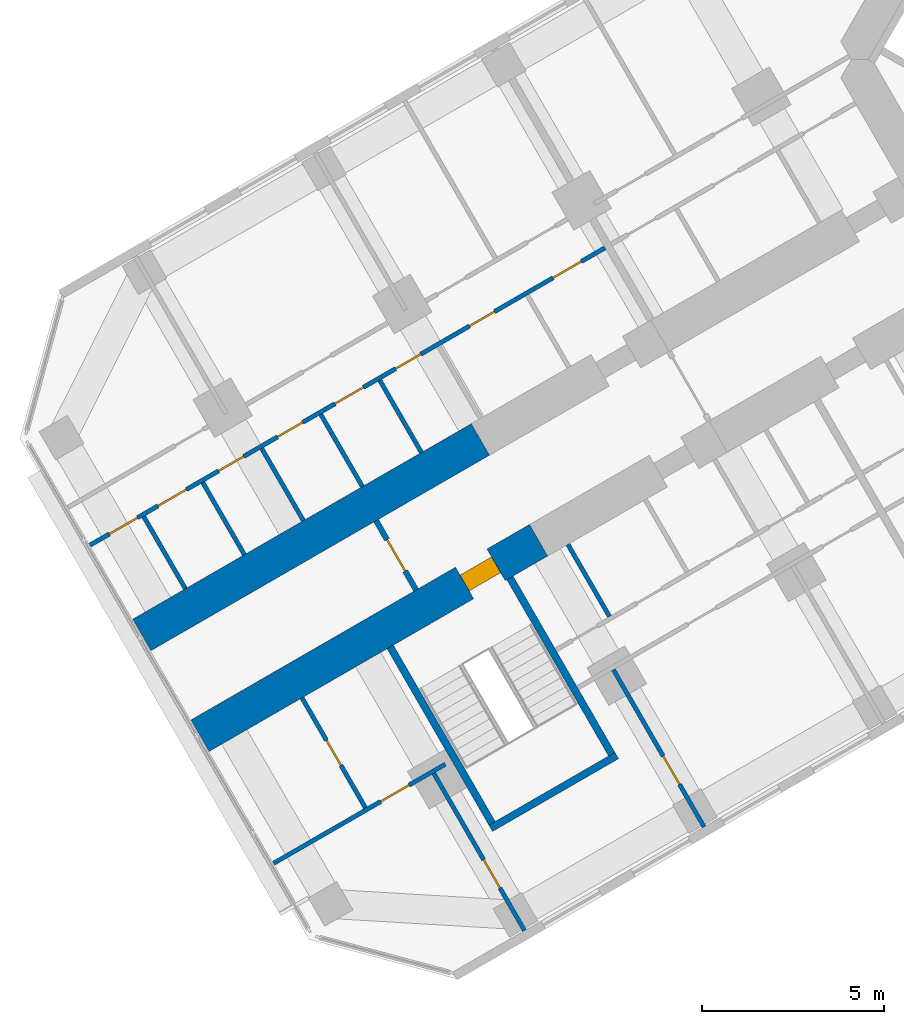
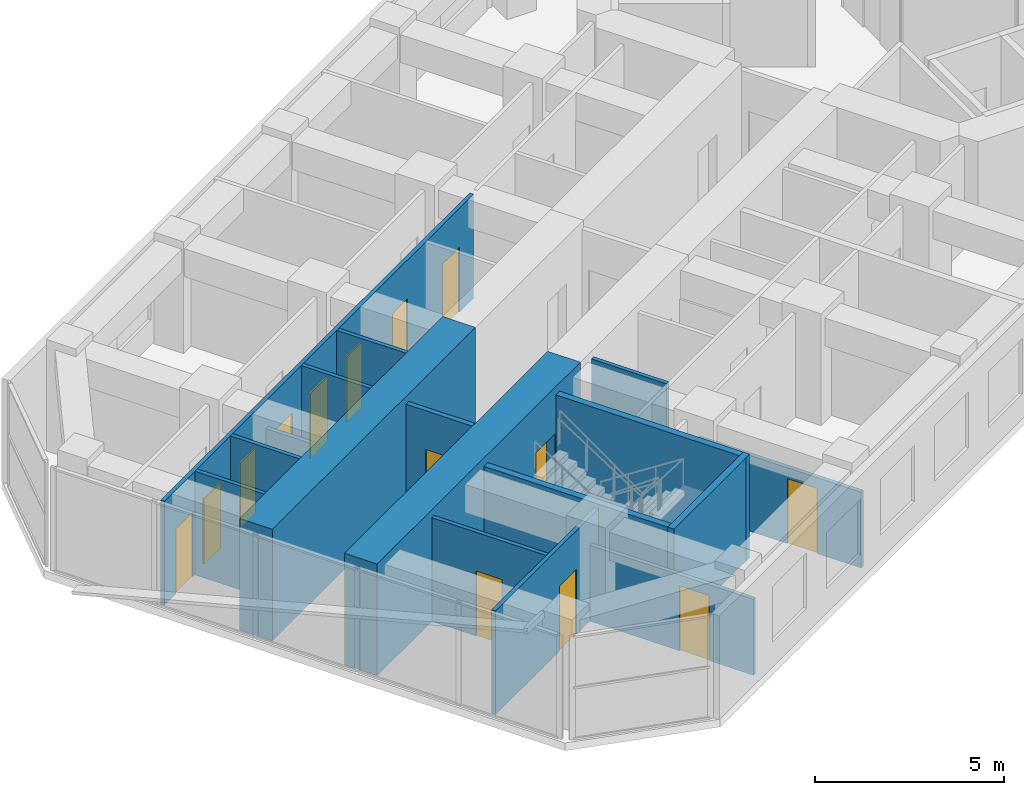
# One storey, part 10 of 21: 17 walls, 14 doors, 14 openings.
"""IFC4 building model written with IfcOpenShell, lengths in metres."""

from ifc_helpers import new_model, si_unit, direction, frame, frame_2d, origin, place, context, subcontext, project, spatial, rectangle, extrude, material, layer, layer_set, type_object, element, fill, save


model = new_model("IFC4")

# Units and contexts
model_context = context("Model", 3, precision=1e-05, world=origin(), true_north=direction((0.0, 1.0)))
body_context = subcontext(model_context, "Body", "Model", "MODEL_VIEW")
ifc_project = project(units=[si_unit("LENGTHUNIT", "METRE"), si_unit("AREAUNIT", "SQUARE_METRE"), si_unit("VOLUMEUNIT", "CUBIC_METRE"), si_unit("PLANEANGLEUNIT", "RADIAN"), si_unit("MASSUNIT", "GRAM", prefix="KILO")], contexts=[model_context])

# Site, building, storey
site_placement = place(None, origin())
site = spatial("IfcSite", under=ifc_project, at=site_placement, CompositionType="ELEMENT")
building_placement = place(site_placement, origin())
building = spatial("IfcBuilding", under=site, at=building_placement, Name="Kosmar Iwan School Tower", CompositionType="ELEMENT")
storey_placement = place(building_placement, frame((0.0, 0.0, 84.39990234375)))
storey = spatial("IfcBuildingStorey", under=building, at=storey_placement, Name="L20", CompositionType="ELEMENT", Elevation=84.39990234375)

# Wall, opening, door
ifc_material_1 = material(Name="Concrete C50/60", Category="concrete")
ifc_layer_1 = layer(ifc_material_1, 1.0)
ifc_layer_set_1 = layer_set([ifc_layer_1], Name="Corridor buttress wall 1000")
wall_type_1 = type_object("IfcWallType", Name="Corridor buttress wall 1000", PredefinedType="SHEAR", material=ifc_layer_set_1)
wall_1_placement = place(storey_placement, frame((-19.681396484375, -13.210693359375, 0.0), z_axis=(0.0, 0.0, 1.0), x_axis=(-0.866028186671, -0.499995179869, 0.0)))
wall_1 = element("IfcWall", 1, at=wall_1_placement, inside=storey, type_object=wall_type_1, Name="Corridor wall BL bay 3", PredefinedType="SHEAR", context=body_context, shape_type="SweptSolid", body=[
    extrude(rectangle(XDim=10.7451171875, YDim=1.0, at=frame_2d((5.37255859375, 0.0))), origin(), (0.0, 0.0, 1.0), 3.60009765625),
])
opening_1_placement = place(wall_1_placement, frame((1.35009765625, 0.0, 0.0)))
opening_1 = element("IfcOpeningElement", 2, at=opening_1_placement, cuts=wall_1, Name="Opening D6", PredefinedType="OPENING", context=body_context, shape_type="SweptSolid", body=[
    extrude(rectangle(XDim=1.0, YDim=2.10009765625, at=frame_2d((0.5, 1.050048828125))), frame((0.0, 0.511962890625, 0.0), z_axis=(0.0, -1.0, 0.0), x_axis=(1.0, 0.0, 0.0)), (0.0, 0.0, 1.0), 1.02392578125),
])
ifc_material_2 = material(Name="Steel fire door", Category="steel")
door_type_1 = type_object("IfcDoorType", Name="Stair door 1000x2100", OperationType="SINGLE_SWING_LEFT", PredefinedType="DOOR", material=ifc_material_2)
door_1_placement = place(opening_1_placement, origin())
door_1 = element("IfcDoor", 3, at=door_1_placement, inside=storey, type_object=door_type_1, Name="Stair WS2 door L20", OperationType="SINGLE_SWING_LEFT", OverallHeight=2.10009765625, OverallWidth=1.0, PredefinedType="DOOR", context=body_context, shape_type="SweptSolid", body=[
    extrude(rectangle(XDim=1.0, YDim=2.10009765625, at=frame_2d((0.5, 1.050048828125))), frame((0.0, 0.25, 0.0), z_axis=(0.0, -1.0, 0.0), x_axis=(1.0, 0.0, 0.0)), (0.0, 0.0, 1.0), 0.5),
])
fill(opening_1, door_1)

# Wall
wall_2_placement = place(storey_placement, frame((-21.281494140625, -10.439453125, 0.0), z_axis=(0.0, 0.0, 1.0), x_axis=(-0.866032345022, -0.499987977232, 0.0)))
element("IfcWall", 4, at=wall_2_placement, inside=storey, type_object=wall_type_1, Name="Corridor wall BR bay 3", PredefinedType="SHEAR", context=body_context, shape_type="SweptSolid", body=[
    extrude(rectangle(XDim=10.744873046875, YDim=1.0, at=frame_2d((5.37255859375, 0.0))), origin(), (0.0, 0.0, 1.0), 3.60009765625),
])

# Wall, opening, door
ifc_material_3 = material(Name="Gypsum board on steel studs, fire-rated", Category="steel")
ifc_layer_2 = layer(ifc_material_3, 0.14990234375)
ifc_layer_set_2 = layer_set([ifc_layer_2], Name="Corridor end wall 150")
wall_type_2 = type_object("IfcWallType", Name="Corridor end wall 150", PredefinedType="PARTITIONING", material=ifc_layer_set_2)
wall_3_placement = place(storey_placement, frame((-24.149169921875, -12.67236328125, 0.0), z_axis=(0.0, 0.0, 1.0), x_axis=(0.50002983664, -0.866008176907, 0.0)))
wall_3 = element("IfcWall", 5, at=wall_3_placement, inside=storey, type_object=wall_type_2, Name="Partition L20-B-CE", PredefinedType="PARTITIONING", context=body_context, shape_type="SweptSolid", body=[
    extrude(rectangle(XDim=2.199951171875, YDim=0.14990234375, at=frame_2d((1.10009765625, 0.0))), origin(), (0.0, 0.0, 1.0), 3.35009765625),
])
opening_2_placement = place(wall_3_placement, frame((0.60009765625, 0.0, 0.0)))
opening_2 = element("IfcOpeningElement", 6, at=opening_2_placement, cuts=wall_3, Name="Opening D13", PredefinedType="OPENING", context=body_context, shape_type="SweptSolid", body=[
    extrude(rectangle(XDim=1.0, YDim=2.10009765625, at=frame_2d((0.5, 1.050048828125))), frame((0.0, 0.0869140625, 0.0), z_axis=(0.0, -1.0, 0.0), x_axis=(1.0, 0.0, 0.0)), (0.0, 0.0, 1.0), 0.173828125),
])
ifc_material_4 = material(Name="Timber fire door with vision panel", Category="wood")
door_type_2 = type_object("IfcDoorType", Name="Corridor end door 1000x2100", OperationType="SINGLE_SWING_LEFT", PredefinedType="DOOR", material=ifc_material_4)
door_2_placement = place(opening_2_placement, origin())
door_2 = element("IfcDoor", 7, at=door_2_placement, inside=storey, type_object=door_type_2, Name="Reading room door L20-B", OperationType="SINGLE_SWING_RIGHT", OverallHeight=2.10009765625, OverallWidth=1.0, PredefinedType="DOOR", context=body_context, shape_type="SweptSolid", body=[
    extrude(rectangle(XDim=1.0, YDim=2.10009765625, at=frame_2d((0.5, 1.050048828125))), frame((0.0, 0.02490234375, 0.0), z_axis=(0.0, -1.0, 0.0), x_axis=(1.0, 0.0, 0.0)), (0.0, 0.0, 1.0), 0.050048828125),
])
fill(opening_2, door_2)

# Wall
ifc_material_5 = material(Name="Gypsum board on steel studs", Category="steel")
ifc_layer_3 = layer(ifc_material_5, 0.1201171875)
ifc_layer_set_3 = layer_set([ifc_layer_3], Name="Dwelling partition 120")
wall_type_3 = type_object("IfcWallType", Name="Dwelling partition 120", PredefinedType="PARTITIONING", material=ifc_layer_set_3)
wall_4_placement = place(storey_placement, frame((-18.877197265625, -13.32373046875, 0.0), z_axis=(0.0, 0.0, 1.0), x_axis=(0.500014693593, -0.866016920268, 0.0)))
element("IfcWall", 8, at=wall_4_placement, inside=storey, type_object=wall_type_3, Name="Partition L20-BL2-Y4", PredefinedType="PARTITIONING", context=body_context, shape_type="SweptSolid", body=[
    extrude(rectangle(XDim=2.2900390625, YDim=0.1201171875, at=frame_2d((1.14501953125, 0.0))), origin(), (0.0, 0.0, 1.0), 3.35009765625),
])

# Wall, opening, door
wall_5_placement = place(storey_placement, frame((-17.62646484375, -16.77001953125, 0.0), z_axis=(0.0, 0.0, 1.0), x_axis=(0.499975153383, -0.86603974851, 0.0)))
wall_5 = element("IfcWall", 9, at=wall_5_placement, inside=storey, type_object=wall_type_3, Name="Partition L20-BL2-TB", PredefinedType="PARTITIONING", context=body_context, shape_type="SweptSolid", body=[
    extrude(rectangle(XDim=4.989990234375, YDim=0.1201171875, at=frame_2d((2.4951171875, 0.0))), origin(), (0.0, 0.0, 1.0), 2.4501953125),
])
opening_3_placement = place(wall_5_placement, frame((2.739990234375, 0.0, 0.0)))
opening_3 = element("IfcOpeningElement", 10, at=opening_3_placement, cuts=wall_5, Name="Opening D2", PredefinedType="OPENING", context=body_context, shape_type="SweptSolid", body=[
    extrude(rectangle(XDim=0.89990234375, YDim=2.10009765625, at=frame_2d((0.449951171875, 1.050048828125))), frame((0.0, 0.072021484375, 0.0), z_axis=(0.0, -1.0, 0.0), x_axis=(1.0, 0.0, 0.0)), (0.0, 0.0, 1.0), 0.14404296875),
])
ifc_material_6 = material(Name="Timber door in timber frame", Category="wood")
door_type_3 = type_object("IfcDoorType", Name="Internal door 900x2100", OperationType="SINGLE_SWING_LEFT", PredefinedType="DOOR", material=ifc_material_6)
door_3_placement = place(opening_3_placement, origin())
door_3 = element("IfcDoor", 11, at=door_3_placement, inside=storey, type_object=door_type_3, Name="Study door L20-BL2-F2", OperationType="SINGLE_SWING_RIGHT", OverallHeight=2.10009765625, OverallWidth=0.89990234375, PredefinedType="DOOR", context=body_context, shape_type="SweptSolid", body=[
    extrude(rectangle(XDim=0.89990234375, YDim=2.10009765625, at=frame_2d((0.449951171875, 1.050048828125))), frame((0.0, 0.02490234375, 0.0), z_axis=(0.0, -1.0, 0.0), x_axis=(1.0, 0.0, 0.0)), (0.0, 0.0, 1.0), 0.050048828125),
])
fill(opening_3, door_3)

wall_6_placement = place(storey_placement, frame((-22.562744140625, -19.6201171875, 0.0), z_axis=(0.0, 0.0, 1.0), x_axis=(0.499996339024, -0.86602751744, 0.0)))
wall_6 = element("IfcWall", 12, at=wall_6_placement, inside=storey, type_object=wall_type_3, Name="Partition L20-BL2-TX", PredefinedType="PARTITIONING", context=body_context, shape_type="SweptSolid", body=[
    extrude(rectangle(XDim=4.98974609375, YDim=0.1201171875, at=frame_2d((2.494873046875, 0.0))), origin(), (0.0, 0.0, 1.0), 2.4501953125),
])
opening_4_placement = place(wall_6_placement, frame((2.739990234375, 0.0, 0.0)))
opening_4 = element("IfcOpeningElement", 13, at=opening_4_placement, cuts=wall_6, Name="Opening D2", PredefinedType="OPENING", context=body_context, shape_type="SweptSolid", body=[
    extrude(rectangle(XDim=0.89990234375, YDim=2.10009765625, at=frame_2d((0.449951171875, 1.050048828125))), frame((0.0, 0.072021484375, 0.0), z_axis=(0.0, -1.0, 0.0), x_axis=(1.0, 0.0, 0.0)), (0.0, 0.0, 1.0), 0.14404296875),
])
door_4_placement = place(opening_4_placement, origin())
door_4 = element("IfcDoor", 14, at=door_4_placement, inside=storey, type_object=door_type_3, Name="Study door L20-BL2-T1", OperationType="SINGLE_SWING_RIGHT", OverallHeight=2.10009765625, OverallWidth=0.89990234375, PredefinedType="DOOR", context=body_context, shape_type="SweptSolid", body=[
    extrude(rectangle(XDim=0.89990234375, YDim=2.10009765625, at=frame_2d((0.449951171875, 1.050048828125))), frame((0.0, 0.02490234375, 0.0), z_axis=(0.0, -1.0, 0.0), x_axis=(1.0, 0.0, 0.0)), (0.0, 0.0, 1.0), 0.050048828125),
])
fill(opening_4, door_4)

wall_7_placement = place(storey_placement, frame((-22.246337890625, -19.3681640625, 0.0), z_axis=(0.0, 0.0, 1.0), x_axis=(-0.866035508231, -0.499982498177, 0.0)))
wall_7 = element("IfcWall", 15, at=wall_7_placement, inside=storey, type_object=wall_type_3, Name="Partition L20-BL2-TW", PredefinedType="PARTITIONING", context=body_context, shape_type="SweptSolid", body=[
    extrude(rectangle(XDim=5.445068359375, YDim=0.1201171875, at=frame_2d((2.72265625, 0.0))), origin(), (0.0, 0.0, 1.0), 3.35009765625),
])
opening_5_placement = place(wall_7_placement, frame((1.14990234375, 0.0, 0.0)))
opening_5 = element("IfcOpeningElement", 16, at=opening_5_placement, cuts=wall_7, Name="Opening D2", PredefinedType="OPENING", context=body_context, shape_type="SweptSolid", body=[
    extrude(rectangle(XDim=0.89990234375, YDim=2.10009765625, at=frame_2d((0.449951171875, 1.050048828125))), frame((0.0, 0.072021484375, 0.0), z_axis=(0.0, -1.0, 0.0), x_axis=(1.0, 0.0, 0.0)), (0.0, 0.0, 1.0), 0.14404296875),
])
door_5_placement = place(opening_5_placement, origin())
door_5 = element("IfcDoor", 17, at=door_5_placement, inside=storey, type_object=door_type_3, Name="Dressing room door L20-BL2-T3", OperationType="SINGLE_SWING_LEFT", OverallHeight=2.10009765625, OverallWidth=0.89990234375, PredefinedType="DOOR", context=body_context, shape_type="SweptSolid", body=[
    extrude(rectangle(XDim=0.89990234375, YDim=2.10009765625, at=frame_2d((0.449951171875, 1.050048828125))), frame((0.0, 0.02490234375, 0.0), z_axis=(0.0, -1.0, 0.0), x_axis=(1.0, 0.0, 0.0)), (0.0, 0.0, 1.0), 0.050048828125),
])
fill(opening_5, door_5)

wall_8_placement = place(storey_placement, frame((-26.1865234375, -17.543701171875, 0.0), z_axis=(0.0, 0.0, 1.0), x_axis=(0.50002117804, -0.866013176292, 0.0)))
wall_8 = element("IfcWall", 18, at=wall_8_placement, inside=storey, type_object=wall_type_3, Name="Partition L20-BL2-TY", PredefinedType="PARTITIONING", context=body_context, shape_type="SweptSolid", body=[
    extrude(rectangle(XDim=3.489990234375, YDim=0.1201171875, at=frame_2d((1.7451171875, 0.0))), origin(), (0.0, 0.0, 1.0), 3.35009765625),
])
opening_6_placement = place(wall_8_placement, frame((1.344970703125, 0.0, 0.0)))
opening_6 = element("IfcOpeningElement", 19, at=opening_6_placement, cuts=wall_8, Name="Opening D3", PredefinedType="OPENING", context=body_context, shape_type="SweptSolid", body=[
    extrude(rectangle(XDim=0.800048828125, YDim=2.10009765625, at=frame_2d((0.39990234375, 1.050048828125))), frame((0.0, 0.072021484375, 0.0), z_axis=(0.0, -1.0, 0.0), x_axis=(1.0, 0.0, 0.0)), (0.0, 0.0, 1.0), 0.14404296875),
])
ifc_material_7 = material(Name="Timber door in timber frame", Category="wood")
door_type_4 = type_object("IfcDoorType", Name="Sanitary room door 800x2100", OperationType="SINGLE_SWING_LEFT", PredefinedType="DOOR", material=ifc_material_7)
door_6_placement = place(opening_6_placement, origin())
door_6 = element("IfcDoor", 20, at=door_6_placement, inside=storey, type_object=door_type_4, Name="Shower room door L20-BL2-T4", OperationType="SINGLE_SWING_RIGHT", OverallHeight=2.10009765625, OverallWidth=0.800048828125, PredefinedType="DOOR", context=body_context, shape_type="SweptSolid", body=[
    extrude(rectangle(XDim=0.800048828125, YDim=2.10009765625, at=frame_2d((0.39990234375, 1.050048828125))), frame((0.0, 0.02490234375, 0.0), z_axis=(0.0, -1.0, 0.0), x_axis=(1.0, 0.0, 0.0)), (0.0, 0.0, 1.0), 0.050048828125),
])
fill(opening_6, door_6)

# Wall, openings, doors
wall_9_placement = place(storey_placement, frame((-17.856689453125, -5.171142578125, 0.0), z_axis=(0.0, 0.0, 1.0), x_axis=(-0.866023907196, -0.500002592159, 0.0)))
wall_9 = element("IfcWall", 21, at=wall_9_placement, inside=storey, type_object=wall_type_3, Name="Partition L20-BR2-W1", PredefinedType="PARTITIONING", context=body_context, shape_type="SweptSolid", body=[
    extrude(rectangle(XDim=16.34521484375, YDim=0.1201171875, at=frame_2d((8.172607421875, 0.0))), origin(), (0.0, 0.0, 1.0), 3.35009765625),
])
opening_7_placement = place(wall_9_placement, frame((0.75, 0.0, 0.0)))
opening_7 = element("IfcOpeningElement", 22, at=opening_7_placement, cuts=wall_9, Name="Opening D2", PredefinedType="OPENING", context=body_context, shape_type="SweptSolid", body=[
    extrude(rectangle(XDim=0.89990234375, YDim=2.10009765625, at=frame_2d((0.449951171875, 1.050048828125))), frame((0.0, 0.072021484375, 0.0), z_axis=(0.0, -1.0, 0.0), x_axis=(1.0, 0.0, 0.0)), (0.0, 0.0, 1.0), 0.14404296875),
])
opening_8_placement = place(wall_9_placement, frame((3.505126953125, 0.0, 0.0)))
opening_8 = element("IfcOpeningElement", 23, at=opening_8_placement, cuts=wall_9, Name="Opening D3", PredefinedType="OPENING", context=body_context, shape_type="SweptSolid", body=[
    extrude(rectangle(XDim=0.800048828125, YDim=2.10009765625, at=frame_2d((0.39990234375, 1.050048828125))), frame((0.0, 0.072021484375, 0.0), z_axis=(0.0, -1.0, 0.0), x_axis=(1.0, 0.0, 0.0)), (0.0, 0.0, 1.0), 0.14404296875),
])
opening_9_placement = place(wall_9_placement, frame((5.8466796875, 0.0, 0.0)))
opening_9 = element("IfcOpeningElement", 24, at=opening_9_placement, cuts=wall_9, Name="Opening D3", PredefinedType="OPENING", context=body_context, shape_type="SweptSolid", body=[
    extrude(rectangle(XDim=0.800048828125, YDim=2.10009765625, at=frame_2d((0.39990234375, 1.050048828125))), frame((0.0, 0.072021484375, 0.0), z_axis=(0.0, -1.0, 0.0), x_axis=(1.0, 0.0, 0.0)), (0.0, 0.0, 1.0), 0.14404296875),
])
opening_10_placement = place(wall_9_placement, frame((7.669921875, 0.0, 0.0)))
opening_10 = element("IfcOpeningElement", 25, at=opening_10_placement, cuts=wall_9, Name="Opening D2", PredefinedType="OPENING", context=body_context, shape_type="SweptSolid", body=[
    extrude(rectangle(XDim=0.89990234375, YDim=2.10009765625, at=frame_2d((0.449951171875, 1.050048828125))), frame((0.0, 0.072021484375, 0.0), z_axis=(0.0, -1.0, 0.0), x_axis=(1.0, 0.0, 0.0)), (0.0, 0.0, 1.0), 0.14404296875),
])
opening_11_placement = place(wall_9_placement, frame((9.59326171875, 0.0, 0.0)))
opening_11 = element("IfcOpeningElement", 26, at=opening_11_placement, cuts=wall_9, Name="Opening D3", PredefinedType="OPENING", context=body_context, shape_type="SweptSolid", body=[
    extrude(rectangle(XDim=0.800048828125, YDim=2.10009765625, at=frame_2d((0.39990234375, 1.050048828125))), frame((0.0, 0.072021484375, 0.0), z_axis=(0.0, -1.0, 0.0), x_axis=(1.0, 0.0, 0.0)), (0.0, 0.0, 1.0), 0.14404296875),
])
opening_12_placement = place(wall_9_placement, frame((11.466796875, 0.0, 0.0)))
opening_12 = element("IfcOpeningElement", 27, at=opening_12_placement, cuts=wall_9, Name="Opening D3", PredefinedType="OPENING", context=body_context, shape_type="SweptSolid", body=[
    extrude(rectangle(XDim=0.800048828125, YDim=2.10009765625, at=frame_2d((0.39990234375, 1.050048828125))), frame((0.0, 0.072021484375, 0.0), z_axis=(0.0, -1.0, 0.0), x_axis=(1.0, 0.0, 0.0)), (0.0, 0.0, 1.0), 0.14404296875),
])
opening_13_placement = place(wall_9_placement, frame((13.2900390625, 0.0, 0.0)))
opening_13 = element("IfcOpeningElement", 28, at=opening_13_placement, cuts=wall_9, Name="Opening D2", PredefinedType="OPENING", context=body_context, shape_type="SweptSolid", body=[
    extrude(rectangle(XDim=0.89990234375, YDim=2.10009765625, at=frame_2d((0.449951171875, 1.050048828125))), frame((0.0, 0.072021484375, 0.0), z_axis=(0.0, -1.0, 0.0), x_axis=(1.0, 0.0, 0.0)), (0.0, 0.0, 1.0), 0.14404296875),
])
opening_14_placement = place(wall_9_placement, frame((14.836669921875, 0.0, 0.0)))
opening_14 = element("IfcOpeningElement", 29, at=opening_14_placement, cuts=wall_9, Name="Opening D2", PredefinedType="OPENING", context=body_context, shape_type="SweptSolid", body=[
    extrude(rectangle(XDim=0.89990234375, YDim=2.10009765625, at=frame_2d((0.449951171875, 1.050048828125))), frame((0.0, 0.072021484375, 0.0), z_axis=(0.0, -1.0, 0.0), x_axis=(1.0, 0.0, 0.0)), (0.0, 0.0, 1.0), 0.14404296875),
])
door_7_placement = place(opening_7_placement, origin())
door_7 = element("IfcDoor", 30, at=door_7_placement, inside=storey, type_object=door_type_3, Name="Entrance hall door L20-BR2-S1", OperationType="SINGLE_SWING_LEFT", OverallHeight=2.10009765625, OverallWidth=0.89990234375, PredefinedType="DOOR", context=body_context, shape_type="SweptSolid", body=[
    extrude(rectangle(XDim=0.89990234375, YDim=2.10009765625, at=frame_2d((0.449951171875, 1.050048828125))), frame((0.0, 0.02490234375, 0.0), z_axis=(0.0, -1.0, 0.0), x_axis=(1.0, 0.0, 0.0)), (0.0, 0.0, 1.0), 0.050048828125),
])
fill(opening_7, door_7)
door_8_placement = place(opening_10_placement, origin())
door_8 = element("IfcDoor", 31, at=door_8_placement, inside=storey, type_object=door_type_3, Name="Pantry door L20-BR2-S4", OperationType="SINGLE_SWING_RIGHT", OverallHeight=2.10009765625, OverallWidth=0.89990234375, PredefinedType="DOOR", context=body_context, shape_type="SweptSolid", body=[
    extrude(rectangle(XDim=0.89990234375, YDim=2.10009765625, at=frame_2d((0.449951171875, 1.050048828125))), frame((0.0, 0.02490234375, 0.0), z_axis=(0.0, -1.0, 0.0), x_axis=(1.0, 0.0, 0.0)), (0.0, 0.0, 1.0), 0.050048828125),
])
fill(opening_10, door_8)
door_9_placement = place(opening_13_placement, origin())
door_9 = element("IfcDoor", 32, at=door_9_placement, inside=storey, type_object=door_type_3, Name="Utility room door L20-BR2-S7", OperationType="SINGLE_SWING_LEFT", OverallHeight=2.10009765625, OverallWidth=0.89990234375, PredefinedType="DOOR", context=body_context, shape_type="SweptSolid", body=[
    extrude(rectangle(XDim=0.89990234375, YDim=2.10009765625, at=frame_2d((0.449951171875, 1.050048828125))), frame((0.0, 0.02490234375, 0.0), z_axis=(0.0, -1.0, 0.0), x_axis=(1.0, 0.0, 0.0)), (0.0, 0.0, 1.0), 0.050048828125),
])
fill(opening_13, door_9)
door_10_placement = place(opening_14_placement, origin())
door_10 = element("IfcDoor", 33, at=door_10_placement, inside=storey, type_object=door_type_3, Name="Dressing room door L20-BR2-S8", OperationType="SINGLE_SWING_LEFT", OverallHeight=2.10009765625, OverallWidth=0.89990234375, PredefinedType="DOOR", context=body_context, shape_type="SweptSolid", body=[
    extrude(rectangle(XDim=0.89990234375, YDim=2.10009765625, at=frame_2d((0.449951171875, 1.050048828125))), frame((0.0, 0.02490234375, 0.0), z_axis=(0.0, -1.0, 0.0), x_axis=(1.0, 0.0, 0.0)), (0.0, 0.0, 1.0), 0.050048828125),
])
fill(opening_14, door_10)
door_11_placement = place(opening_8_placement, origin())
door_11 = element("IfcDoor", 34, at=door_11_placement, inside=storey, type_object=door_type_4, Name="Bathroom door L20-BR2-S2", OperationType="SINGLE_SWING_RIGHT", OverallHeight=2.10009765625, OverallWidth=0.800048828125, PredefinedType="DOOR", context=body_context, shape_type="SweptSolid", body=[
    extrude(rectangle(XDim=0.800048828125, YDim=2.10009765625, at=frame_2d((0.39990234375, 1.050048828125))), frame((0.0, 0.02490234375, 0.0), z_axis=(0.0, -1.0, 0.0), x_axis=(1.0, 0.0, 0.0)), (0.0, 0.0, 1.0), 0.050048828125),
])
fill(opening_8, door_11)
door_12_placement = place(opening_9_placement, origin())
door_12 = element("IfcDoor", 35, at=door_12_placement, inside=storey, type_object=door_type_4, Name="Shower room door L20-BR2-S3", OperationType="SINGLE_SWING_LEFT", OverallHeight=2.10009765625, OverallWidth=0.800048828125, PredefinedType="DOOR", context=body_context, shape_type="SweptSolid", body=[
    extrude(rectangle(XDim=0.800048828125, YDim=2.10009765625, at=frame_2d((0.39990234375, 1.050048828125))), frame((0.0, 0.02490234375, 0.0), z_axis=(0.0, -1.0, 0.0), x_axis=(1.0, 0.0, 0.0)), (0.0, 0.0, 1.0), 0.050048828125),
])
fill(opening_9, door_12)
door_13_placement = place(opening_11_placement, origin())
door_13 = element("IfcDoor", 36, at=door_13_placement, inside=storey, type_object=door_type_4, Name="WC door L20-BR2-S5", OperationType="SINGLE_SWING_LEFT", OverallHeight=2.10009765625, OverallWidth=0.800048828125, PredefinedType="DOOR", context=body_context, shape_type="SweptSolid", body=[
    extrude(rectangle(XDim=0.800048828125, YDim=2.10009765625, at=frame_2d((0.39990234375, 1.050048828125))), frame((0.0, 0.02490234375, 0.0), z_axis=(0.0, -1.0, 0.0), x_axis=(1.0, 0.0, 0.0)), (0.0, 0.0, 1.0), 0.050048828125),
])
fill(opening_11, door_13)
door_14_placement = place(opening_12_placement, origin())
door_14 = element("IfcDoor", 37, at=door_14_placement, inside=storey, type_object=door_type_4, Name="Store door L20-BR2-S6", OperationType="SINGLE_SWING_RIGHT", OverallHeight=2.10009765625, OverallWidth=0.800048828125, PredefinedType="DOOR", context=body_context, shape_type="SweptSolid", body=[
    extrude(rectangle(XDim=0.800048828125, YDim=2.10009765625, at=frame_2d((0.39990234375, 1.050048828125))), frame((0.0, 0.02490234375, 0.0), z_axis=(0.0, -1.0, 0.0), x_axis=(1.0, 0.0, 0.0)), (0.0, 0.0, 1.0), 0.050048828125),
])
fill(opening_12, door_14)

# Walls
wall_10_placement = place(storey_placement, frame((-22.902587890625, -10.798095703125, 0.0), z_axis=(0.0, 0.0, 1.0), x_axis=(-0.499968531483, 0.866043571379, 0.0)))
element("IfcWall", 38, at=wall_10_placement, inside=storey, type_object=wall_type_3, Name="Partition L20-BR2-Y3", PredefinedType="PARTITIONING", context=body_context, shape_type="SweptSolid", body=[
    extrude(rectangle(XDim=2.290283203125, YDim=0.1201171875, at=frame_2d((1.14501953125, 0.0))), origin(), (0.0, 0.0, 1.0), 3.35009765625),
])
wall_11_placement = place(storey_placement, frame((-24.525146484375, -11.734619140625, 0.0), z_axis=(0.0, 0.0, 1.0), x_axis=(-0.500014693593, 0.866016920268, 0.0)))
element("IfcWall", 39, at=wall_11_placement, inside=storey, type_object=wall_type_3, Name="Partition L20-BR2-Y4", PredefinedType="PARTITIONING", context=body_context, shape_type="SweptSolid", body=[
    extrude(rectangle(XDim=2.2900390625, YDim=0.1201171875, at=frame_2d((1.14501953125, 0.0))), origin(), (0.0, 0.0, 1.0), 3.35009765625),
])
wall_12_placement = place(storey_placement, frame((-26.1474609375, -12.67138671875, 0.0), z_axis=(0.0, 0.0, 1.0), x_axis=(-0.500014693593, 0.866016920268, 0.0)))
element("IfcWall", 40, at=wall_12_placement, inside=storey, type_object=wall_type_3, Name="Partition L20-BR2-Y5", PredefinedType="PARTITIONING", context=body_context, shape_type="SweptSolid", body=[
    extrude(rectangle(XDim=2.2900390625, YDim=0.1201171875, at=frame_2d((1.14501953125, 0.0))), origin(), (0.0, 0.0, 1.0), 2.4501953125),
])
for number, where, z_axis, x_axis, name in (
    (41, (-27.769775390625, -13.60791015625, 0.0), (0.0, 0.0, 1.0), (-0.500014693593, 0.866016920268, 0.0), "Partition L20-BR2-Y6"),
    (42, (-29.39208984375, -14.544677734375, 0.0), (0.0, 0.0, 1.0), (-0.500014693593, 0.866016920268, 0.0), "Partition L20-BR2-Y7"),
):
    element("IfcWall", number, at=place(storey_placement, frame(where, z_axis=z_axis, x_axis=x_axis)), inside=storey, type_object=wall_type_3, Name=name, PredefinedType="PARTITIONING", context=body_context, shape_type="SweptSolid", body=[
        extrude(rectangle(XDim=2.2900390625, YDim=0.1201171875, at=frame_2d((1.14501953125, 0.0))), origin(), (0.0, 0.0, 1.0), 3.35009765625),
    ])
ifc_material_8 = material(Name="Concrete C35/45", Category="concrete")
ifc_layer_4 = layer(ifc_material_8, 0.199951171875)
ifc_layer_set_4 = layer_set([ifc_layer_4], Name="Escape stair wall 200")
wall_type_4 = type_object("IfcWallType", Name="Escape stair wall 200", PredefinedType="SHEAR", material=ifc_layer_set_4)
for number, where, z_axis, x_axis, name in (
    (43, (-20.470703125, -14.24365234375, 0.0), (0.0, 0.0, 1.0), (0.499987231761, -0.866032775405, 0.0), "Stair WS2 wall"),
    (44, (-23.76171875, -16.1435546875, 0.0), (0.0, 0.0, 1.0), (0.500018801468, -0.86601454848, 0.0), "Stair WS2 wall"),
):
    element("IfcWall", number, at=place(storey_placement, frame(where, z_axis=z_axis, x_axis=x_axis)), inside=storey, type_object=wall_type_4, Name=name, PredefinedType="SHEAR", context=body_context, shape_type="SweptSolid", body=[
        extrude(rectangle(XDim=5.800048828125, YDim=0.199951171875, at=frame_2d((2.89990234375, 0.0))), origin(), (0.0, 0.0, 1.0), 3.330078125),
    ])
wall_13_placement = place(storey_placement, frame((-17.5341796875, -19.1298828125, 0.0), z_axis=(0.0, 0.0, 1.0), x_axis=(-0.866026010844, -0.49999894854, 0.0)))
element("IfcWall", 45, at=wall_13_placement, inside=storey, type_object=wall_type_4, Name="Stair WS2 wall", PredefinedType="SHEAR", context=body_context, shape_type="SweptSolid", body=[
    extrude(rectangle(XDim=4.0, YDim=0.199951171875, at=frame_2d((2.0, 0.0))), origin(), (0.0, 0.0, 1.0), 3.330078125),
])

save(model, "model.ifc")
